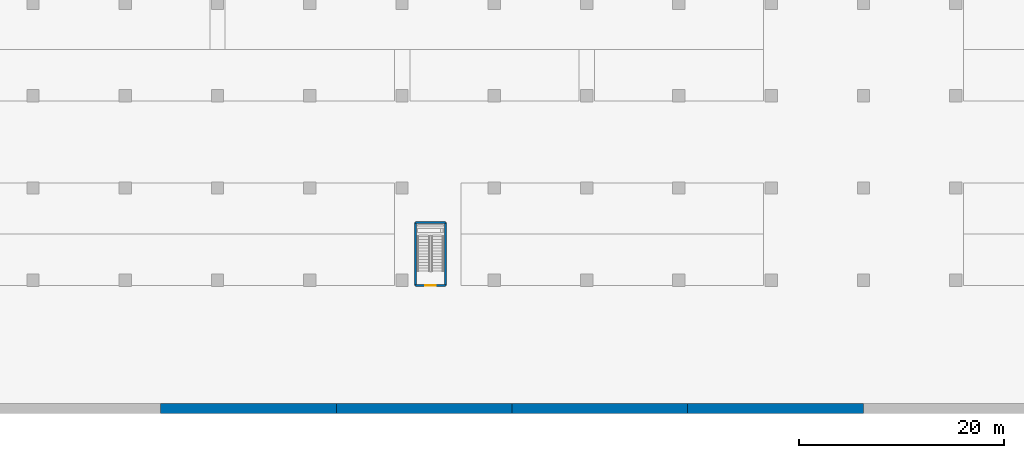
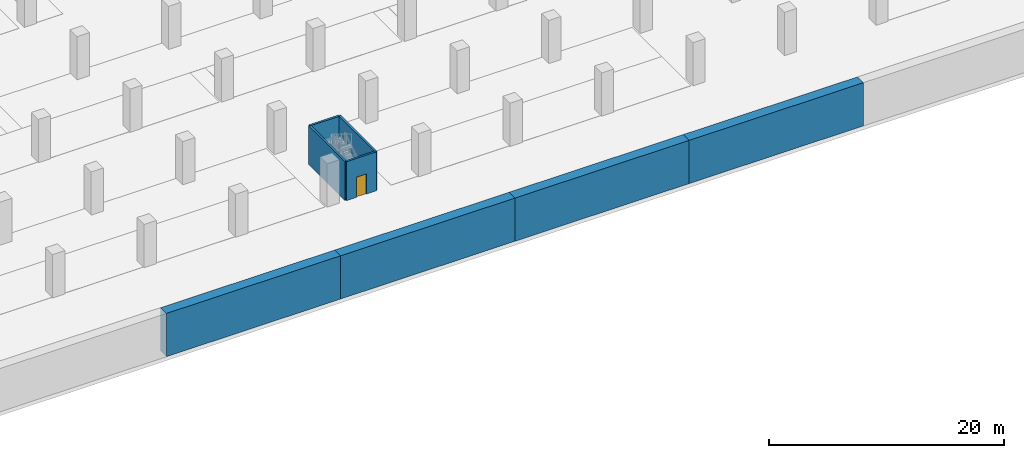
# One storey, part 9 of 34: 8 walls, 1 door, 1 opening.
"""IFC4 building model written with IfcOpenShell, lengths in metres."""

from ifc_helpers import new_model, si_unit, direction, frame, frame_2d, origin, place, context, subcontext, project, spatial, rectangle, extrude, material, layer, layer_set, type_object, element, fill, save


model = new_model("IFC4")

# Units and contexts
model_context = context("Model", 3, precision=1e-05, world=origin(), true_north=direction((0.0, 1.0)))
body_context = subcontext(model_context, "Body", "Model", "MODEL_VIEW")
ifc_project = project(units=[si_unit("LENGTHUNIT", "METRE"), si_unit("AREAUNIT", "SQUARE_METRE"), si_unit("VOLUMEUNIT", "CUBIC_METRE"), si_unit("PLANEANGLEUNIT", "RADIAN"), si_unit("MASSUNIT", "GRAM", prefix="KILO")], contexts=[model_context])

# Site, building, storey
site_placement = place(None, origin())
site = spatial("IfcSite", under=ifc_project, at=site_placement, CompositionType="ELEMENT")
building_placement = place(site_placement, origin())
building = spatial("IfcBuilding", under=site, at=building_placement, Name="Ogive Gate Towers", CompositionType="ELEMENT")
storey_placement = place(building_placement, frame((0.0, 0.0, -4.5)))
storey = spatial("IfcBuildingStorey", under=building, at=storey_placement, Name="B1", CompositionType="ELEMENT", Elevation=-4.5)

# Wall, opening, door
ifc_material_1 = material(Name="Reinforced concrete C32/40", Category="concrete")
ifc_layer_1 = layer(ifc_material_1, 0.199951171875)
ifc_layer_set_1 = layer_set([ifc_layer_1], Name="Car park stair shaft wall 200")
wall_type_1 = type_object("IfcWallType", Name="Car park stair shaft wall 200", PredefinedType="SOLIDWALL", material=ifc_layer_set_1)
wall_1_placement = place(storey_placement, frame((-40.75, -63.5, 0.0), z_axis=(0.0, 0.0, 1.0), x_axis=(-1.0, 0.0, 0.0)))
wall_1 = element("IfcWall", 1, at=wall_1_placement, inside=storey, type_object=wall_type_1, Name="CS6 stair shaft wall B1 1", PredefinedType="SOLIDWALL", context=body_context, shape_type="SweptSolid", body=[
    extrude(rectangle(XDim=2.949951171875, YDim=0.199951171875, at=frame_2d((1.47509765625, 0.0))), origin(), (0.0, 0.0, 1.0), 4.050048828125),
])
opening_placement = place(wall_1_placement, frame((0.97509765625, 0.0, 0.0)))
opening = element("IfcOpeningElement", 2, at=opening_placement, cuts=wall_1, Name="Opening CPD36-B1", PredefinedType="OPENING", context=body_context, shape_type="SweptSolid", body=[
    extrude(rectangle(XDim=1.0, YDim=2.10009765625, at=frame_2d((0.5, 1.050048828125))), frame((0.0, 0.10986328125, 0.0), z_axis=(0.0, -1.0, 0.0), x_axis=(1.0, 0.0, 0.0)), (0.0, 0.0, 1.0), 0.219970703125),
])
ifc_material_2 = material(Name="Painted steel door", Category="steel")
door_type = type_object("IfcDoorType", Name="Stair house door 1000 x 2100", OperationType="SINGLE_SWING_LEFT", PredefinedType="DOOR", material=ifc_material_2)
door_placement = place(opening_placement, origin())
door = element("IfcDoor", 3, at=door_placement, inside=storey, type_object=door_type, Name="Door CS6 stair B1", OperationType="SINGLE_SWING_LEFT", OverallHeight=2.10009765625, OverallWidth=1.0, PredefinedType="DOOR", context=body_context, shape_type="SweptSolid", body=[
    extrude(rectangle(XDim=1.0, YDim=2.10009765625, at=frame_2d((0.5, 1.050048828125))), frame((0.0, 0.02490234375, 0.0), z_axis=(0.0, -1.0, 0.0), x_axis=(1.0, 0.0, 0.0)), (0.0, 0.0, 1.0), 0.050048828125),
])
fill(opening, door)

# Walls
wall_2_placement = place(storey_placement, frame((-43.699951171875, -63.5, 0.0), z_axis=(0.0, 0.0, 1.0), x_axis=(0.0, 1.0, 0.0)))
element("IfcWall", 4, at=wall_2_placement, inside=storey, type_object=wall_type_1, Name="CS6 stair shaft wall B1 2", PredefinedType="SOLIDWALL", context=body_context, shape_type="SweptSolid", body=[
    extrude(rectangle(XDim=6.159912109375, YDim=0.199951171875, at=frame_2d((3.080078125, 0.0))), origin(), (0.0, 0.0, 1.0), 4.050048828125),
])
wall_3_placement = place(storey_placement, frame((-43.699951171875, -57.340087890625, 0.0), z_axis=(0.0, 0.0, 1.0), x_axis=(1.0, 0.0, 0.0)))
element("IfcWall", 5, at=wall_3_placement, inside=storey, type_object=wall_type_1, Name="CS6 stair shaft wall B1 3", PredefinedType="SOLIDWALL", context=body_context, shape_type="SweptSolid", body=[
    extrude(rectangle(XDim=2.949951171875, YDim=0.199951171875, at=frame_2d((1.47509765625, 0.0))), origin(), (0.0, 0.0, 1.0), 4.050048828125),
])
wall_4_placement = place(storey_placement, frame((-40.75, -57.340087890625, 0.0), z_axis=(0.0, 0.0, 1.0), x_axis=(0.0, -1.0, 0.0)))
element("IfcWall", 6, at=wall_4_placement, inside=storey, type_object=wall_type_1, Name="CS6 stair shaft wall B1 4", PredefinedType="SOLIDWALL", context=body_context, shape_type="SweptSolid", body=[
    extrude(rectangle(XDim=6.159912109375, YDim=0.199951171875, at=frame_2d((3.080078125, 0.0))), origin(), (0.0, 0.0, 1.0), 4.050048828125),
])
ifc_material_3 = material(Name="Concrete C40/50", Category="concrete")
ifc_layer_2 = layer(ifc_material_3, 1.0)
ifc_layer_set_2 = layer_set([ifc_layer_2], Name="Retaining wall 1000")
wall_type_2 = type_object("IfcWallType", Name="Retaining wall 1000", PredefinedType="SOLIDWALL", material=ifc_layer_set_2)
for number, where, z_axis, x_axis, name in (
    (7, (0.0, -75.5, 0.0), (0.0, 0.0, 1.0), (-1.0, 0.0, 0.0), "BS/B1/SWL008"),
    (8, (-17.139404296875, -75.5, 0.0), (0.0, 0.0, 1.0), (-1.0, 0.0, 0.0), "BS/B1/SWL009"),
):
    element("IfcWall", number, at=place(storey_placement, frame(where, z_axis=z_axis, x_axis=x_axis)), inside=storey, type_object=wall_type_2, Name=name, PredefinedType="SOLIDWALL", context=body_context, shape_type="SweptSolid", body=[
        extrude(rectangle(XDim=17.139404296875, YDim=1.0, at=frame_2d((8.56982421875, 0.0))), origin(), (0.0, 0.0, 1.0), 4.5),
    ])
wall_5_placement = place(storey_placement, frame((-34.27880859375, -75.5, 0.0), z_axis=(0.0, 0.0, 1.0), x_axis=(-1.0, 0.0, 0.0)))
element("IfcWall", 9, at=wall_5_placement, inside=storey, type_object=wall_type_2, Name="BS/B1/SWL010", PredefinedType="SOLIDWALL", context=body_context, shape_type="SweptSolid", body=[
    extrude(rectangle(XDim=17.13916015625, YDim=1.0, at=frame_2d((8.569580078125, 0.0))), origin(), (0.0, 0.0, 1.0), 4.5),
])
wall_6_placement = place(storey_placement, frame((-51.41796875, -75.5, 0.0), z_axis=(0.0, 0.0, 1.0), x_axis=(-1.0, 0.0, 0.0)))
element("IfcWall", 10, at=wall_6_placement, inside=storey, type_object=wall_type_2, Name="BS/B1/SWL011", PredefinedType="SOLIDWALL", context=body_context, shape_type="SweptSolid", body=[
    extrude(rectangle(XDim=17.139404296875, YDim=1.0, at=frame_2d((8.56982421875, 0.0))), origin(), (0.0, 0.0, 1.0), 4.5),
])

save(model, "model.ifc")
